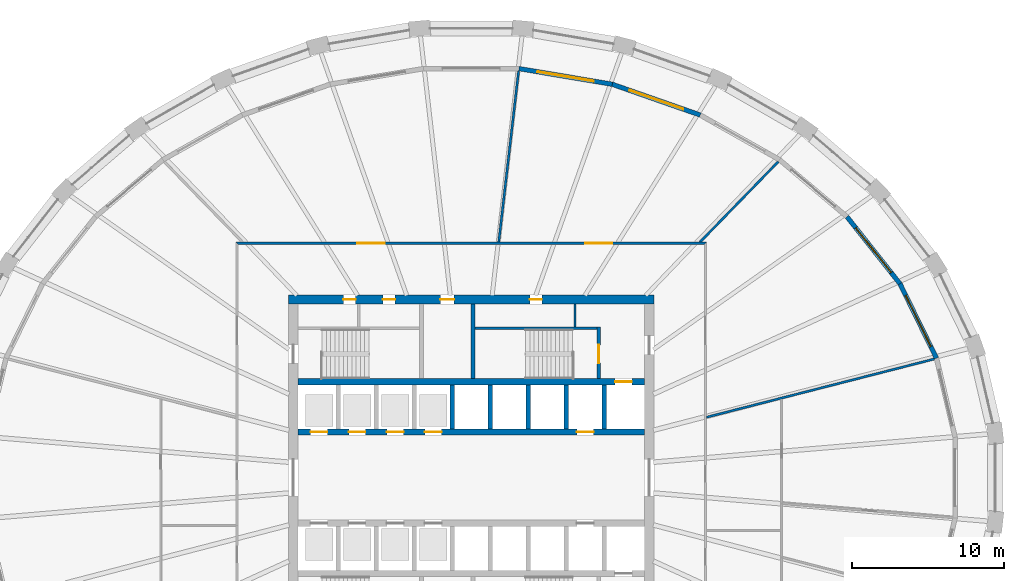
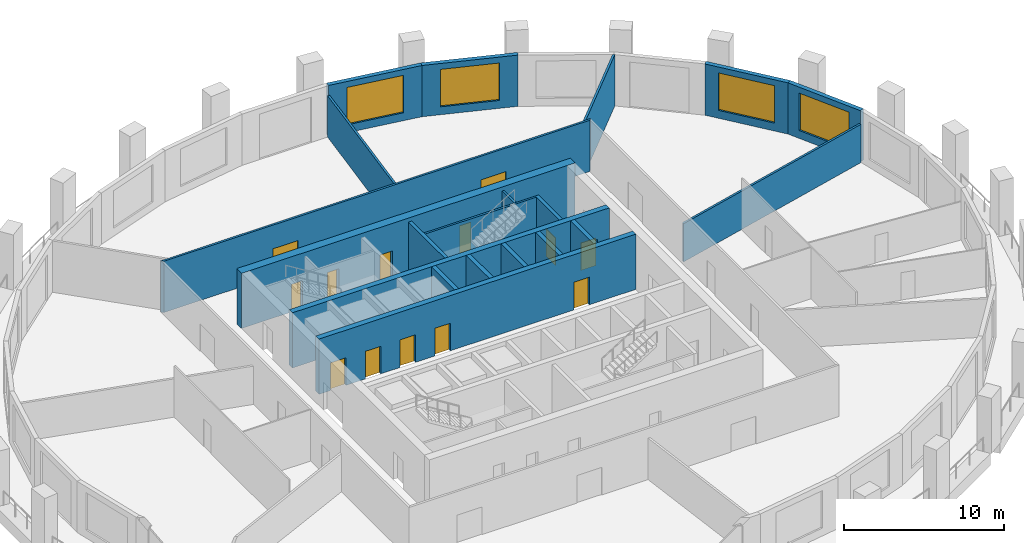
# One storey, part 6 of 10: 20 walls, 13 doors, 4 windows, 17 openings.
"""IFC4 building model written with IfcOpenShell, lengths in metres."""

from ifc_helpers import new_model, si_unit, direction, frame, frame_2d, origin, place, context, subcontext, project, spatial, polyline, rectangle, outline, extrude, material, layer, layer_set, type_object, element, fill, save


model = new_model("IFC4")

# Units and contexts
model_context = context("Model", 3, precision=1e-05, world=origin(), true_north=direction((0.0, 1.0)))
body_context = subcontext(model_context, "Body", "Model", "MODEL_VIEW")
ifc_project = project(units=[si_unit("LENGTHUNIT", "METRE"), si_unit("AREAUNIT", "SQUARE_METRE"), si_unit("VOLUMEUNIT", "CUBIC_METRE"), si_unit("PLANEANGLEUNIT", "RADIAN"), si_unit("MASSUNIT", "GRAM", prefix="KILO")], contexts=[model_context])

# Site, building, storey
site_placement = place(None, origin())
site = spatial("IfcSite", under=ifc_project, at=site_placement, CompositionType="ELEMENT")
building_placement = place(site_placement, origin())
building = spatial("IfcBuilding", under=site, at=building_placement, Name="Halqa Exchange Tower", CompositionType="ELEMENT")
storey_placement = place(building_placement, frame((0.0, 0.0, 129.699951171875)))
storey = spatial("IfcBuildingStorey", under=building, at=storey_placement, Name="L29", CompositionType="ELEMENT", Elevation=129.699951171875)

# Wall, openings, doors
ifc_material_1 = material(Name="Fire-rated gypsum board")
ifc_layer_1 = layer(ifc_material_1, 0.14990234375)
ifc_layer_set_1 = layer_set([ifc_layer_1], Name="Fire-rated gypsum board")
wall_type_1 = type_object("IfcWallType", Name="Fire partition EI 60 150", PredefinedType="PARTITIONING", material=ifc_layer_set_1)
wall_1_placement = place(storey_placement, frame((-15.47509765625, 15.39990234375, 0.0), z_axis=(0.0, 0.0, 1.0), x_axis=(1.0, 0.0, 0.0)))
wall_1 = element("IfcWall", 1, at=wall_1_placement, inside=storey, type_object=wall_type_1, Name="L29-PWL-009", PredefinedType="PARTITIONING", context=body_context, shape_type="SweptSolid", body=[
    extrude(outline(polyline([(0.150146484375, -0.074951171875), (2.065673828125, -0.074951171875), (3.9814453125, -0.074951171875), (5.89697265625, -0.074951171875), (7.8125, -0.074951171875), (9.728271484375, -0.074951171875), (11.643798828125, -0.074951171875), (13.5595703125, -0.074951171875), (15.47509765625, -0.074951171875), (17.390625, -0.074951171875), (19.306396484375, -0.074951171875), (21.221923828125, -0.074951171875), (23.1376953125, -0.074951171875), (25.05322265625, -0.074951171875), (26.96875, -0.074951171875), (28.884521484375, -0.074951171875), (30.800048828125, -0.074951171875), (30.949951171875, 0.074951171875), (29.015625, 0.074951171875), (27.081298828125, 0.074951171875), (25.14697265625, 0.074951171875), (23.21240234375, 0.074951171875), (21.278076171875, 0.074951171875), (19.34375, 0.074951171875), (17.409423828125, 0.074951171875), (15.47509765625, 0.074951171875), (13.540771484375, 0.074951171875), (11.6064453125, 0.074951171875), (9.672119140625, 0.074951171875), (7.73779296875, 0.074951171875), (5.80322265625, 0.074951171875), (3.868896484375, 0.074951171875), (1.9345703125, 0.074951171875), (0.000244140625, 0.074951171875), (0.150146484375, -0.074951171875)])), origin(), (0.0, 0.0, 1.0), 3.900146484375),
])
opening_1_placement = place(wall_1_placement, frame((22.955078125, 0.0, 0.0)))
opening_1 = element("IfcOpeningElement", 2, at=opening_1_placement, cuts=wall_1, Name="Opening 09-01", PredefinedType="OPENING", context=body_context, shape_type="SweptSolid", body=[
    extrude(rectangle(XDim=1.800048828125, YDim=2.10009765625, at=frame_2d((0.89990234375, 1.050048828125))), frame((0.0, 0.0869140625, 0.0), z_axis=(0.0, -1.0, 0.0), x_axis=(1.0, 0.0, 0.0)), (0.0, 0.0, 1.0), 0.173828125),
])
opening_2_placement = place(wall_1_placement, frame((7.9951171875, 0.0, 0.0)))
opening_2 = element("IfcOpeningElement", 3, at=opening_2_placement, cuts=wall_1, Name="Opening 09-02", PredefinedType="OPENING", context=body_context, shape_type="SweptSolid", body=[
    extrude(rectangle(XDim=1.800048828125, YDim=2.10009765625, at=frame_2d((0.89990234375, 1.050048828125))), frame((0.0, 0.0869140625, 0.0), z_axis=(0.0, -1.0, 0.0), x_axis=(1.0, 0.0, 0.0)), (0.0, 0.0, 1.0), 0.173828125),
])
ifc_material_2 = material(Name="Steel fire door leaf", Category="steel")
door_type_1 = type_object("IfcDoorType", Name="Fire door FD30S double 1800 x 2100", OperationType="DOUBLE_DOOR_SINGLE_SWING", PredefinedType="DOOR", material=ifc_material_2)
door_1_placement = place(opening_1_placement, origin())
door_1 = element("IfcDoor", 4, at=door_1_placement, inside=storey, type_object=door_type_1, Name="L29-IDR-001", OperationType="DOUBLE_DOOR_SINGLE_SWING", OverallHeight=2.10009765625, OverallWidth=1.800048828125, PredefinedType="DOOR", context=body_context, shape_type="SweptSolid", body=[
    extrude(rectangle(XDim=1.800048828125, YDim=2.10009765625, at=frame_2d((0.89990234375, 1.050048828125))), frame((0.0, 0.02490234375, 0.0), z_axis=(0.0, -1.0, 0.0), x_axis=(1.0, 0.0, 0.0)), (0.0, 0.0, 1.0), 0.050048828125),
])
fill(opening_1, door_1)
door_2_placement = place(opening_2_placement, origin())
door_2 = element("IfcDoor", 5, at=door_2_placement, inside=storey, type_object=door_type_1, Name="L29-IDR-002", OperationType="DOUBLE_DOOR_SINGLE_SWING", OverallHeight=2.10009765625, OverallWidth=1.800048828125, PredefinedType="DOOR", context=body_context, shape_type="SweptSolid", body=[
    extrude(rectangle(XDim=1.800048828125, YDim=2.10009765625, at=frame_2d((0.89990234375, 1.050048828125))), frame((0.0, 0.02490234375, 0.0), z_axis=(0.0, -1.0, 0.0), x_axis=(1.0, 0.0, 0.0)), (0.0, 0.0, 1.0), 0.050048828125),
])
fill(opening_2, door_2)

# Walls
wall_2_placement = place(storey_placement, frame((1.8076171875, 15.466552734375, 0.0), z_axis=(0.0, 0.0, 1.0), x_axis=(0.115308163836, 0.993329767677, 0.0)))
element("IfcWall", 6, at=wall_2_placement, inside=storey, type_object=wall_type_1, Name="L29-PWL-012", PredefinedType="PARTITIONING", context=body_context, shape_type="SweptSolid", body=[
    extrude(outline(polyline([(0.01708984375, -0.074951171875), (1.904052734375, -0.074951171875), (3.790771484375, -0.074951171875), (5.677490234375, -0.074951171875), (7.564453125, -0.074951171875), (9.451171875, -0.074951171875), (11.337890625, -0.074951171875), (11.338134765625, -0.072509765625), (11.338134765625, 0.029052734375), (11.332763671875, 0.074951171875), (9.444091796875, 0.074951171875), (7.55517578125, 0.074951171875), (5.66650390625, 0.074951171875), (3.777587890625, 0.074951171875), (1.888916015625, 0.074951171875), (0.0, 0.074951171875), (0.0, 0.0732421875), (0.01708984375, -0.074951171875)])), origin(), (0.0, 0.0, 1.0), 3.14697265625),
])
wall_3_placement = place(storey_placement, frame((15.456787109375, 3.964599609375, 0.0), z_axis=(0.0, 0.0, 1.0), x_axis=(0.968826155352, 0.247741560312, 0.0)))
element("IfcWall", 7, at=wall_3_placement, inside=storey, type_object=wall_type_1, Name="L29-PWL-016", PredefinedType="PARTITIONING", context=body_context, shape_type="SweptSolid", body=[
    extrude(outline(polyline([(0.0, -0.074951171875), (1.67724609375, -0.074951171875), (3.354248046875, -0.074951171875), (5.031494140625, -0.074951171875), (5.031982421875, -0.073486328125), (5.03759765625, -0.074951171875), (6.774658203125, -0.074951171875), (8.51171875, -0.074951171875), (10.248779296875, -0.074951171875), (11.98583984375, -0.074951171875), (13.722900390625, -0.074951171875), (15.4599609375, -0.074951171875), (15.4599609375, 0.010498046875), (15.446533203125, 0.074951171875), (13.5205078125, 0.074951171875), (11.594482421875, 0.074951171875), (9.668212890625, 0.074951171875), (7.7421875, 0.074951171875), (5.816162109375, 0.074951171875), (3.89013671875, 0.074951171875), (1.964111328125, 0.074951171875), (0.0380859375, 0.074951171875), (0.0, -0.073486328125), (0.0, -0.074951171875)])), origin(), (0.0, 0.0, 1.0), 2.91015625),
])
wall_4_placement = place(storey_placement, frame((20.182373046875, 20.7666015625, 0.0), z_axis=(0.0, 0.0, 1.0), x_axis=(-0.697398145205, -0.716683910148, 0.0)))
element("IfcWall", 8, at=wall_4_placement, inside=storey, type_object=wall_type_1, Name="L29-PWL-017", PredefinedType="PARTITIONING", context=body_context, shape_type="SweptSolid", body=[
    extrude(outline(polyline([(7.456298828125, -0.074951171875), (7.456298828125, -0.074951171875), (7.36328125, 0.020751953125), (7.36328125, 0.020751953125), (7.310546875, 0.074951171875), (5.48291015625, 0.074951171875), (3.6552734375, 0.074951171875), (1.82763671875, 0.074951171875), (0.0, 0.074951171875), (0.0, 0.072509765625), (0.00537109375, -0.002197265625), (0.0244140625, -0.074951171875), (1.88232421875, -0.074951171875), (3.740478515625, -0.074951171875), (5.598388671875, -0.074951171875), (7.456298828125, -0.074951171875)])), origin(), (0.0, 0.0, 1.0), 3.900146484375),
])
ifc_material_3 = material(Name="Gypsum board")
ifc_layer_2 = layer(ifc_material_3, 0.14990234375)
ifc_layer_set_2 = layer_set([ifc_layer_2], Name="Gypsum board")
wall_type_2 = type_object("IfcWallType", Name="Penthouse riser wall 150 gypsum", PredefinedType="PARTITIONING", material=ifc_layer_set_2)
wall_5_placement = place(storey_placement, frame((6.824951171875, 9.89990234375, 0.0), z_axis=(0.0, 0.0, 1.0), x_axis=(0.0, 1.0, 0.0)))
element("IfcWall", 9, at=wall_5_placement, inside=storey, type_object=wall_type_2, Name="Firefighting lobby west wall N", PredefinedType="PARTITIONING", context=body_context, shape_type="SweptSolid", body=[
    extrude(rectangle(XDim=1.5, YDim=0.14990234375, at=frame_2d((0.75, 0.0))), origin(), (0.0, 0.0, 1.0), 3.900146484375),
])
ifc_material_4 = material(Name="Concrete C60/75", Category="concrete")
ifc_layer_3 = layer(ifc_material_4, 0.300048828125)
ifc_layer_set_3 = layer_set([ifc_layer_3], Name="Concrete C60/75")
wall_type_3 = type_object("IfcWallType", Name="RC core wall 300", PredefinedType="SHEAR", material=ifc_layer_set_3)
for number, where, z_axis, x_axis, name in (
    (10, (-1.25, 3.199951171875, 0.0), (0.0, 0.0, 1.0), (0.0, 1.0, 0.0), "Shaft divider N4"),
    (11, (1.25, 3.199951171875, 0.0), (0.0, 0.0, 1.0), (0.0, 1.0, 0.0), "Shaft divider N5"),
    (12, (3.75, 3.199951171875, 0.0), (0.0, 0.0, 1.0), (0.0, 1.0, 0.0), "Shaft divider N6"),
    (13, (6.25, 3.199951171875, 0.0), (0.0, 0.0, 1.0), (0.0, 1.0, 0.0), "Shaft divider N7"),
    (14, (8.75, 3.199951171875, 0.0), (0.0, 0.0, 1.0), (0.0, 1.0, 0.0), "Shaft divider N8"),
):
    element("IfcWall", number, at=place(storey_placement, frame(where, z_axis=z_axis, x_axis=x_axis)), inside=storey, type_object=wall_type_3, Name=name, PredefinedType="SHEAR", context=body_context, shape_type="SweptSolid", body=[
        extrude(rectangle(XDim=2.900146484375, YDim=0.300048828125, at=frame_2d((1.4501953125, 0.0))), origin(), (0.0, 0.0, 1.0), 4.199951171875),
    ])

# Wall, openings, doors
ifc_material_5 = material(Name="Concrete C70/85", Category="concrete")
ifc_layer_4 = layer(ifc_material_5, 0.39990234375)
ifc_layer_set_4 = layer_set([ifc_layer_4], Name="Concrete C70/85")
wall_type_4 = type_object("IfcWallType", Name="RC core wall 400 C70/85", PredefinedType="SHEAR", material=ifc_layer_set_4)
wall_6_placement = place(storey_placement, frame((-11.39990234375, 3.0, 0.0), z_axis=(0.0, 0.0, 1.0), x_axis=(1.0, 0.0, 0.0)))
wall_6 = element("IfcWall", 15, at=wall_6_placement, inside=storey, type_object=wall_type_4, Name="Lift row front wall N", PredefinedType="SHEAR", context=body_context, shape_type="SweptSolid", body=[
    extrude(rectangle(XDim=22.7998046875, YDim=0.39990234375, at=frame_2d((11.39990234375, 0.0))), origin(), (0.0, 0.0, 1.0), 4.199951171875),
])
opening_3_placement = place(wall_6_placement, frame((0.85009765625, 0.0, 0.0)))
opening_3 = element("IfcOpeningElement", 16, at=opening_3_placement, cuts=wall_6, Name="Opening LD-LR1-T09", PredefinedType="OPENING", context=body_context, shape_type="SweptSolid", body=[
    extrude(rectangle(XDim=1.10009765625, YDim=2.10009765625, at=frame_2d((0.550048828125, 1.050048828125))), frame((0.0, 0.2119140625, 0.0), z_axis=(0.0, -1.0, 0.0), x_axis=(1.0, 0.0, 0.0)), (0.0, 0.0, 1.0), 0.423828125),
])
opening_4_placement = place(wall_6_placement, frame((3.35009765625, 0.0, 0.0)))
opening_4 = element("IfcOpeningElement", 17, at=opening_4_placement, cuts=wall_6, Name="Opening LD-LR2-T09", PredefinedType="OPENING", context=body_context, shape_type="SweptSolid", body=[
    extrude(rectangle(XDim=1.10009765625, YDim=2.10009765625, at=frame_2d((0.550048828125, 1.050048828125))), frame((0.0, 0.2119140625, 0.0), z_axis=(0.0, -1.0, 0.0), x_axis=(1.0, 0.0, 0.0)), (0.0, 0.0, 1.0), 0.423828125),
])
opening_5_placement = place(wall_6_placement, frame((5.85009765625, 0.0, 0.0)))
opening_5 = element("IfcOpeningElement", 18, at=opening_5_placement, cuts=wall_6, Name="Opening LD-LR3-T09", PredefinedType="OPENING", context=body_context, shape_type="SweptSolid", body=[
    extrude(rectangle(XDim=1.10009765625, YDim=2.10009765625, at=frame_2d((0.550048828125, 1.050048828125))), frame((0.0, 0.2119140625, 0.0), z_axis=(0.0, -1.0, 0.0), x_axis=(1.0, 0.0, 0.0)), (0.0, 0.0, 1.0), 0.423828125),
])
opening_6_placement = place(wall_6_placement, frame((8.35009765625, 0.0, 0.0)))
opening_6 = element("IfcOpeningElement", 19, at=opening_6_placement, cuts=wall_6, Name="Opening LD-LR4-T09", PredefinedType="OPENING", context=body_context, shape_type="SweptSolid", body=[
    extrude(rectangle(XDim=1.10009765625, YDim=2.10009765625, at=frame_2d((0.550048828125, 1.050048828125))), frame((0.0, 0.2119140625, 0.0), z_axis=(0.0, -1.0, 0.0), x_axis=(1.0, 0.0, 0.0)), (0.0, 0.0, 1.0), 0.423828125),
])
opening_7_placement = place(wall_6_placement, frame((18.35009765625, 0.0, 0.0)))
opening_7 = element("IfcOpeningElement", 20, at=opening_7_placement, cuts=wall_6, Name="Opening LD-SV1-T09", PredefinedType="OPENING", context=body_context, shape_type="SweptSolid", body=[
    extrude(rectangle(XDim=1.10009765625, YDim=2.10009765625, at=frame_2d((0.550048828125, 1.050048828125))), frame((0.0, 0.2119140625, 0.0), z_axis=(0.0, -1.0, 0.0), x_axis=(1.0, 0.0, 0.0)), (0.0, 0.0, 1.0), 0.423828125),
])
ifc_material_6 = material(Name="Stainless steel", Category="steel")
door_type_2 = type_object("IfcDoorType", Name="Lift landing door 1100 x 2100", OperationType="SLIDING_TO_LEFT", PredefinedType="DOOR", material=ifc_material_6)
door_3_placement = place(opening_3_placement, origin())
door_3 = element("IfcDoor", 21, at=door_3_placement, inside=storey, type_object=door_type_2, Name="Lift landing door LR1", OperationType="SLIDING_TO_LEFT", OverallHeight=2.10009765625, OverallWidth=1.10009765625, PredefinedType="DOOR", context=body_context, shape_type="SweptSolid", body=[
    extrude(rectangle(XDim=1.10009765625, YDim=2.10009765625, at=frame_2d((0.550048828125, 1.050048828125))), frame((0.0, 0.02490234375, 0.0), z_axis=(0.0, -1.0, 0.0), x_axis=(1.0, 0.0, 0.0)), (0.0, 0.0, 1.0), 0.050048828125),
])
fill(opening_3, door_3)
door_4_placement = place(opening_4_placement, origin())
door_4 = element("IfcDoor", 22, at=door_4_placement, inside=storey, type_object=door_type_2, Name="Lift landing door LR2", OperationType="SLIDING_TO_LEFT", OverallHeight=2.10009765625, OverallWidth=1.10009765625, PredefinedType="DOOR", context=body_context, shape_type="SweptSolid", body=[
    extrude(rectangle(XDim=1.10009765625, YDim=2.10009765625, at=frame_2d((0.550048828125, 1.050048828125))), frame((0.0, 0.02490234375, 0.0), z_axis=(0.0, -1.0, 0.0), x_axis=(1.0, 0.0, 0.0)), (0.0, 0.0, 1.0), 0.050048828125),
])
fill(opening_4, door_4)
door_5_placement = place(opening_5_placement, origin())
door_5 = element("IfcDoor", 23, at=door_5_placement, inside=storey, type_object=door_type_2, Name="Lift landing door LR3", OperationType="SLIDING_TO_LEFT", OverallHeight=2.10009765625, OverallWidth=1.10009765625, PredefinedType="DOOR", context=body_context, shape_type="SweptSolid", body=[
    extrude(rectangle(XDim=1.10009765625, YDim=2.10009765625, at=frame_2d((0.550048828125, 1.050048828125))), frame((0.0, 0.02490234375, 0.0), z_axis=(0.0, -1.0, 0.0), x_axis=(1.0, 0.0, 0.0)), (0.0, 0.0, 1.0), 0.050048828125),
])
fill(opening_5, door_5)
door_6_placement = place(opening_6_placement, origin())
door_6 = element("IfcDoor", 24, at=door_6_placement, inside=storey, type_object=door_type_2, Name="Lift landing door LR4", OperationType="SLIDING_TO_LEFT", OverallHeight=2.10009765625, OverallWidth=1.10009765625, PredefinedType="DOOR", context=body_context, shape_type="SweptSolid", body=[
    extrude(rectangle(XDim=1.10009765625, YDim=2.10009765625, at=frame_2d((0.550048828125, 1.050048828125))), frame((0.0, 0.02490234375, 0.0), z_axis=(0.0, -1.0, 0.0), x_axis=(1.0, 0.0, 0.0)), (0.0, 0.0, 1.0), 0.050048828125),
])
fill(opening_6, door_6)
door_7_placement = place(opening_7_placement, origin())
door_7 = element("IfcDoor", 25, at=door_7_placement, inside=storey, type_object=door_type_2, Name="Lift landing door SV1", OperationType="SLIDING_TO_LEFT", OverallHeight=2.10009765625, OverallWidth=1.10009765625, PredefinedType="DOOR", context=body_context, shape_type="SweptSolid", body=[
    extrude(rectangle(XDim=1.10009765625, YDim=2.10009765625, at=frame_2d((0.550048828125, 1.050048828125))), frame((0.0, 0.02490234375, 0.0), z_axis=(0.0, -1.0, 0.0), x_axis=(1.0, 0.0, 0.0)), (0.0, 0.0, 1.0), 0.050048828125),
])
fill(opening_7, door_7)

# Wall, opening, door
wall_7_placement = place(storey_placement, frame((-11.39990234375, 6.300048828125, 0.0), z_axis=(0.0, 0.0, 1.0), x_axis=(1.0, 0.0, 0.0)))
wall_7 = element("IfcWall", 26, at=wall_7_placement, inside=storey, type_object=wall_type_4, Name="Lift row back wall N", PredefinedType="SHEAR", context=body_context, shape_type="SweptSolid", body=[
    extrude(rectangle(XDim=22.7998046875, YDim=0.39990234375, at=frame_2d((11.39990234375, 0.0))), origin(), (0.0, 0.0, 1.0), 4.199951171875),
])
opening_8_placement = place(wall_7_placement, frame((20.85009765625, 0.0, 0.0)))
opening_8 = element("IfcOpeningElement", 27, at=opening_8_placement, cuts=wall_7, Name="Opening LD-FF1-T09", PredefinedType="OPENING", context=body_context, shape_type="SweptSolid", body=[
    extrude(rectangle(XDim=1.10009765625, YDim=2.10009765625, at=frame_2d((0.550048828125, 1.050048828125))), frame((0.0, 0.2119140625, 0.0), z_axis=(0.0, -1.0, 0.0), x_axis=(1.0, 0.0, 0.0)), (0.0, 0.0, 1.0), 0.423828125),
])
door_8_placement = place(opening_8_placement, origin())
door_8 = element("IfcDoor", 28, at=door_8_placement, inside=storey, type_object=door_type_2, Name="Lift landing door FF1", OperationType="SLIDING_TO_LEFT", OverallHeight=2.10009765625, OverallWidth=1.10009765625, PredefinedType="DOOR", context=body_context, shape_type="SweptSolid", body=[
    extrude(rectangle(XDim=1.10009765625, YDim=2.10009765625, at=frame_2d((0.550048828125, 1.050048828125))), frame((0.0, 0.02490234375, 0.0), z_axis=(0.0, -1.0, 0.0), x_axis=(1.0, 0.0, 0.0)), (0.0, 0.0, 1.0), 0.050048828125),
])
fill(opening_8, door_8)

# Wall, openings, doors
ifc_layer_5 = layer(ifc_material_5, 0.60009765625)
ifc_layer_set_5 = layer_set([ifc_layer_5], Name="Concrete C70/85")
wall_type_5 = type_object("IfcWallType", Name="RC core wall 600 C70/85", PredefinedType="SHEAR", material=ifc_layer_set_5)
wall_8_placement = place(storey_placement, frame((-12.0, 11.699951171875, 0.0), z_axis=(0.0, 0.0, 1.0), x_axis=(1.0, 0.0, 0.0)))
wall_8 = element("IfcWall", 29, at=wall_8_placement, inside=storey, type_object=wall_type_5, Name="Core wall north", PredefinedType="SHEAR", context=body_context, shape_type="SweptSolid", body=[
    extrude(rectangle(XDim=24.0, YDim=0.60009765625, at=frame_2d((12.0, 0.0))), origin(), (0.0, 0.0, 1.0), 4.199951171875),
])
opening_9_placement = place(wall_8_placement, frame((9.97509765625, 0.0, 0.0)))
opening_9 = element("IfcOpeningElement", 30, at=opening_9_placement, cuts=wall_8, Name="Opening T09-C21", PredefinedType="OPENING", context=body_context, shape_type="SweptSolid", body=[
    extrude(rectangle(XDim=0.89990234375, YDim=2.10009765625, at=frame_2d((0.449951171875, 1.050048828125))), frame((0.0, 0.31201171875, 0.0), z_axis=(0.0, -1.0, 0.0), x_axis=(1.0, 0.0, 0.0)), (0.0, 0.0, 1.0), 0.6240234375),
])
opening_10_placement = place(wall_8_placement, frame((3.60009765625, 0.0, 0.0)))
opening_10 = element("IfcOpeningElement", 31, at=opening_10_placement, cuts=wall_8, Name="Opening T09-C22", PredefinedType="OPENING", context=body_context, shape_type="SweptSolid", body=[
    extrude(rectangle(XDim=0.800048828125, YDim=2.10009765625, at=frame_2d((0.39990234375, 1.050048828125))), frame((0.0, 0.31201171875, 0.0), z_axis=(0.0, -1.0, 0.0), x_axis=(1.0, 0.0, 0.0)), (0.0, 0.0, 1.0), 0.6240234375),
])
opening_11_placement = place(wall_8_placement, frame((6.199951171875, 0.0, 0.0)))
opening_11 = element("IfcOpeningElement", 32, at=opening_11_placement, cuts=wall_8, Name="Opening T09-C23", PredefinedType="OPENING", context=body_context, shape_type="SweptSolid", body=[
    extrude(rectangle(XDim=0.800048828125, YDim=2.10009765625, at=frame_2d((0.39990234375, 1.050048828125))), frame((0.0, 0.31201171875, 0.0), z_axis=(0.0, -1.0, 0.0), x_axis=(1.0, 0.0, 0.0)), (0.0, 0.0, 1.0), 0.6240234375),
])
opening_12_placement = place(wall_8_placement, frame((15.85009765625, 0.0, 0.0)))
opening_12 = element("IfcOpeningElement", 33, at=opening_12_placement, cuts=wall_8, Name="Opening T09-C24", PredefinedType="OPENING", context=body_context, shape_type="SweptSolid", body=[
    extrude(rectangle(XDim=0.800048828125, YDim=2.10009765625, at=frame_2d((0.39990234375, 1.050048828125))), frame((0.0, 0.31201171875, 0.0), z_axis=(0.0, -1.0, 0.0), x_axis=(1.0, 0.0, 0.0)), (0.0, 0.0, 1.0), 0.6240234375),
])
ifc_material_7 = material(Name="Timber fire door leaf", Category="wood")
door_type_3 = type_object("IfcDoorType", Name="Core room door FD30 900 x 2100", OperationType="SINGLE_SWING_LEFT", PredefinedType="DOOR", material=ifc_material_7)
door_9_placement = place(opening_9_placement, frame((0.89990234375, 0.0, 0.0), z_axis=(0.0, 0.0, 1.0), x_axis=(-1.0, 0.0, 0.0)))
door_9 = element("IfcDoor", 34, at=door_9_placement, inside=storey, type_object=door_type_3, Name="Core room door", OperationType="SINGLE_SWING_RIGHT", OverallHeight=2.10009765625, OverallWidth=0.89990234375, PredefinedType="DOOR", context=body_context, shape_type="SweptSolid", body=[
    extrude(rectangle(XDim=0.89990234375, YDim=2.10009765625, at=frame_2d((0.449951171875, 1.050048828125))), frame((0.0, 0.02490234375, 0.0), z_axis=(0.0, -1.0, 0.0), x_axis=(1.0, 0.0, 0.0)), (0.0, 0.0, 1.0), 0.050048828125),
])
fill(opening_9, door_9)
door_type_4 = type_object("IfcDoorType", Name="Riser door FD60 800 x 2100", OperationType="SINGLE_SWING_LEFT", PredefinedType="DOOR", material=ifc_material_2)
door_10_placement = place(opening_10_placement, frame((0.800048828125, 0.0, 0.0), z_axis=(0.0, 0.0, 1.0), x_axis=(-1.0, 0.0, 0.0)))
door_10 = element("IfcDoor", 35, at=door_10_placement, inside=storey, type_object=door_type_4, Name="Core room door", OperationType="SINGLE_SWING_RIGHT", OverallHeight=2.10009765625, OverallWidth=0.800048828125, PredefinedType="DOOR", context=body_context, shape_type="SweptSolid", body=[
    extrude(rectangle(XDim=0.800048828125, YDim=2.10009765625, at=frame_2d((0.39990234375, 1.050048828125))), frame((0.0, 0.02490234375, 0.0), z_axis=(0.0, -1.0, 0.0), x_axis=(1.0, 0.0, 0.0)), (0.0, 0.0, 1.0), 0.050048828125),
])
fill(opening_10, door_10)
door_11_placement = place(opening_11_placement, frame((0.800048828125, 0.0, 0.0), z_axis=(0.0, 0.0, 1.0), x_axis=(-1.0, 0.0, 0.0)))
door_11 = element("IfcDoor", 36, at=door_11_placement, inside=storey, type_object=door_type_4, Name="Core room door", OperationType="SINGLE_SWING_RIGHT", OverallHeight=2.10009765625, OverallWidth=0.800048828125, PredefinedType="DOOR", context=body_context, shape_type="SweptSolid", body=[
    extrude(rectangle(XDim=0.800048828125, YDim=2.10009765625, at=frame_2d((0.39990234375, 1.050048828125))), frame((0.0, 0.02490234375, 0.0), z_axis=(0.0, -1.0, 0.0), x_axis=(1.0, 0.0, 0.0)), (0.0, 0.0, 1.0), 0.050048828125),
])
fill(opening_11, door_11)
door_12_placement = place(opening_12_placement, frame((0.800048828125, 0.0, 0.0), z_axis=(0.0, 0.0, 1.0), x_axis=(-1.0, 0.0, 0.0)))
door_12 = element("IfcDoor", 37, at=door_12_placement, inside=storey, type_object=door_type_4, Name="Core room door", OperationType="SINGLE_SWING_RIGHT", OverallHeight=2.10009765625, OverallWidth=0.800048828125, PredefinedType="DOOR", context=body_context, shape_type="SweptSolid", body=[
    extrude(rectangle(XDim=0.800048828125, YDim=2.10009765625, at=frame_2d((0.39990234375, 1.050048828125))), frame((0.0, 0.02490234375, 0.0), z_axis=(0.0, -1.0, 0.0), x_axis=(1.0, 0.0, 0.0)), (0.0, 0.0, 1.0), 0.050048828125),
])
fill(opening_12, door_12)

# Walls
ifc_material_8 = material(Name="Concrete C30/37", Category="concrete")
ifc_layer_6 = layer(ifc_material_8, 0.14990234375)
ifc_layer_set_6 = layer_set([ifc_layer_6], Name="Concrete C30/37")
wall_type_6 = type_object("IfcWallType", Name="RC stair wall 150 C30/37", PredefinedType="SHEAR", material=ifc_layer_set_6)
wall_9_placement = place(storey_placement, frame((0.25, 9.824951171875, 0.0), z_axis=(0.0, 0.0, 1.0), x_axis=(1.0, 0.0, 0.0)))
element("IfcWall", 38, at=wall_9_placement, inside=storey, type_object=wall_type_6, Name="Stair ST2 north wall N", PredefinedType="SHEAR", context=body_context, shape_type="SweptSolid", body=[
    extrude(rectangle(XDim=8.0, YDim=0.14990234375, at=frame_2d((4.0, 0.0))), origin(), (0.0, 0.0, 1.0), 3.900146484375),
])
ifc_layer_7 = layer(ifc_material_8, 0.25)
ifc_layer_set_7 = layer_set([ifc_layer_7], Name="Concrete C30/37")
wall_type_7 = type_object("IfcWallType", Name="RC stair wall 250 C30/37", PredefinedType="SHEAR", material=ifc_layer_set_7)
wall_10_placement = place(storey_placement, frame((0.125, 6.5, 0.0), z_axis=(0.0, 0.0, 1.0), x_axis=(0.0, 1.0, 0.0)))
element("IfcWall", 39, at=wall_10_placement, inside=storey, type_object=wall_type_7, Name="Stair ST2 west wall N", PredefinedType="SHEAR", context=body_context, shape_type="SweptSolid", body=[
    extrude(rectangle(XDim=4.89990234375, YDim=0.25, at=frame_2d((2.449951171875, 0.0))), origin(), (0.0, 0.0, 1.0), 3.900146484375),
])

# Wall, opening, door
wall_11_placement = place(storey_placement, frame((8.375, 6.5, 0.0), z_axis=(0.0, 0.0, 1.0), x_axis=(0.0, 1.0, 0.0)))
wall_11 = element("IfcWall", 40, at=wall_11_placement, inside=storey, type_object=wall_type_7, Name="Stair ST2 east wall N", PredefinedType="SHEAR", context=body_context, shape_type="SweptSolid", body=[
    extrude(rectangle(XDim=3.39990234375, YDim=0.25, at=frame_2d((1.699951171875, 0.0))), origin(), (0.0, 0.0, 1.0), 3.900146484375),
])
opening_13_placement = place(wall_11_placement, frame((1.02490234375, 0.0, 0.0)))
opening_13 = element("IfcOpeningElement", 41, at=opening_13_placement, cuts=wall_11, Name="Opening T09-C16", PredefinedType="OPENING", context=body_context, shape_type="SweptSolid", body=[
    extrude(rectangle(XDim=1.199951171875, YDim=2.10009765625, at=frame_2d((0.60009765625, 1.050048828125))), frame((0.0, 0.136962890625, 0.0), z_axis=(0.0, -1.0, 0.0), x_axis=(1.0, 0.0, 0.0)), (0.0, 0.0, 1.0), 0.27392578125),
])
door_type_5 = type_object("IfcDoorType", Name="Stair door FD90 1200 x 2100", OperationType="SINGLE_SWING_LEFT", PredefinedType="DOOR", material=ifc_material_2)
door_13_placement = place(opening_13_placement, origin())
door_13 = element("IfcDoor", 42, at=door_13_placement, inside=storey, type_object=door_type_5, Name="Stair door ST2", OperationType="SINGLE_SWING_LEFT", OverallHeight=2.10009765625, OverallWidth=1.199951171875, PredefinedType="DOOR", context=body_context, shape_type="SweptSolid", body=[
    extrude(rectangle(XDim=1.199951171875, YDim=2.10009765625, at=frame_2d((0.60009765625, 1.050048828125))), frame((0.0, 0.02490234375, 0.0), z_axis=(0.0, -1.0, 0.0), x_axis=(1.0, 0.0, 0.0)), (0.0, 0.0, 1.0), 0.050048828125),
])
fill(opening_13, door_13)

# Wall, opening, window
ifc_material_9 = material(Name="Limestone cladding", Category="masonry")
ifc_layer_8 = layer(ifc_material_9, 0.0400390625)
ifc_material_10 = material(Name="Ventilated cavity")
ifc_layer_9 = layer(ifc_material_10, 0.030029296875, ventilated=True)
ifc_material_11 = material(Name="Mineral wool insulation")
ifc_layer_10 = layer(ifc_material_11, 0.10009765625)
ifc_layer_11 = layer(ifc_material_8, 0.10009765625)
ifc_material_12 = material(Name="Internal plaster")
ifc_layer_12 = layer(ifc_material_12, 0.030029296875)
ifc_layer_set_8 = layer_set([ifc_layer_8, ifc_layer_9, ifc_layer_10, ifc_layer_11, ifc_layer_12], Name="Stone-faced insulated wall 300")
wall_type_8 = type_object("IfcWallType", Name="Stone-faced insulated wall 300", PredefinedType="STANDARD", material=ifc_layer_set_8)
wall_12_placement = place(storey_placement, frame((30.577880859375, 7.848388671875, 0.0), z_axis=(0.0, 0.0, 1.0), x_axis=(-0.440321465864, 0.897840189956, 0.0)))
wall_12 = element("IfcWall", 43, at=wall_12_placement, inside=storey, type_object=wall_type_8, Name="Glass-line wall 2", PredefinedType="STANDARD", context=body_context, shape_type="SweptSolid", body=[
    extrude(outline(polyline([(-0.016845703125, -0.14990234375), (5.467529296875, -0.14990234375), (5.435302734375, 0.14990234375), (0.016845703125, 0.14990234375), (-0.016845703125, -0.14990234375)])), origin(), (0.0, 0.0, 1.0), 3.900146484375),
])
opening_14_placement = place(wall_12_placement, frame((0.850830078125, 0.0, 0.60009765625)))
opening_14 = element("IfcOpeningElement", 44, at=opening_14_placement, cuts=wall_12, Name="Opening W-F2-02", PredefinedType="OPENING", context=body_context, shape_type="SweptSolid", body=[
    extrude(rectangle(XDim=3.75, YDim=2.85009765625, at=frame_2d((1.875, 1.425048828125))), frame((0.0, 0.162109375, 0.0), z_axis=(0.0, -1.0, 0.0), x_axis=(1.0, 0.0, 0.0)), (0.0, 0.0, 1.0), 0.323974609375),
])
ifc_material_13 = material(Name="Clear low-emissivity glass in aluminium frame", Category="aluminium")
window_type = type_object("IfcWindowType", Name="Fixed clear glazed window 3750 x 2850", PartitioningType="TRIPLE_PANEL_VERTICAL", PredefinedType="WINDOW", material=ifc_material_13)
window_1_placement = place(opening_14_placement, origin())
window_1 = element("IfcWindow", 45, at=window_1_placement, inside=storey, type_object=window_type, Name="Window 2", OverallHeight=2.85009765625, OverallWidth=3.75, PartitioningType="TRIPLE_PANEL_VERTICAL", PredefinedType="WINDOW", context=body_context, shape_type="SweptSolid", body=[
    extrude(rectangle(XDim=3.75, YDim=2.85009765625, at=frame_2d((1.875, 1.425048828125))), frame((0.0, 0.030029296875, 0.0), z_axis=(0.0, -1.0, 0.0), x_axis=(1.0, 0.0, 0.0)), (0.0, 0.0, 1.0), 0.06005859375),
])
fill(opening_14, window_1)

wall_13_placement = place(storey_placement, frame((28.177490234375, 12.742919921875, 0.0), z_axis=(0.0, 0.0, 1.0), x_axis=(-0.620464552431, 0.784234492468, 0.0)))
wall_13 = element("IfcWall", 46, at=wall_13_placement, inside=storey, type_object=wall_type_8, Name="Glass-line wall 3", PredefinedType="STANDARD", context=body_context, shape_type="SweptSolid", body=[
    extrude(outline(polyline([(-0.01611328125, -0.14990234375), (5.62939453125, -0.14990234375), (5.59912109375, 0.14990234375), (0.01611328125, 0.14990234375), (-0.01611328125, -0.14990234375)])), origin(), (0.0, 0.0, 1.0), 3.900146484375),
])
opening_15_placement = place(wall_13_placement, frame((0.931884765625, 0.0, 0.60009765625)))
opening_15 = element("IfcOpeningElement", 47, at=opening_15_placement, cuts=wall_13, Name="Opening W-F2-03", PredefinedType="OPENING", context=body_context, shape_type="SweptSolid", body=[
    extrude(rectangle(XDim=3.75, YDim=2.85009765625, at=frame_2d((1.875, 1.425048828125))), frame((0.0, 0.162109375, 0.0), z_axis=(0.0, -1.0, 0.0), x_axis=(1.0, 0.0, 0.0)), (0.0, 0.0, 1.0), 0.323974609375),
])
window_2_placement = place(opening_15_placement, origin())
window_2 = element("IfcWindow", 48, at=window_2_placement, inside=storey, type_object=window_type, Name="Window 2", OverallHeight=2.85009765625, OverallWidth=3.75, PartitioningType="TRIPLE_PANEL_VERTICAL", PredefinedType="WINDOW", context=body_context, shape_type="SweptSolid", body=[
    extrude(rectangle(XDim=3.75, YDim=2.85009765625, at=frame_2d((1.875, 1.425048828125))), frame((0.0, 0.030029296875, 0.0), z_axis=(0.0, -1.0, 0.0), x_axis=(1.0, 0.0, 0.0)), (0.0, 0.0, 1.0), 0.06005859375),
])
fill(opening_15, window_2)

wall_14_placement = place(storey_placement, frame((15.054931640625, 23.8271484375, 0.0), z_axis=(0.0, 0.0, 1.0), x_axis=(-0.943911133508, 0.330199594245, 0.0)))
wall_14 = element("IfcWall", 49, at=wall_14_placement, inside=storey, type_object=wall_type_8, Name="Glass-line wall 6", PredefinedType="STANDARD", context=body_context, shape_type="SweptSolid", body=[
    extrude(outline(polyline([(-0.013427734375, -0.14990234375), (6.141357421875, -0.14990234375), (6.115966796875, 0.14990234375), (0.013427734375, 0.14990234375), (-0.013427734375, -0.14990234375)])), origin(), (0.0, 0.0, 1.0), 3.900146484375),
])
opening_16_placement = place(wall_14_placement, frame((1.189208984375, 0.0, 0.60009765625)))
opening_16 = element("IfcOpeningElement", 50, at=opening_16_placement, cuts=wall_14, Name="Opening W-F2-06", PredefinedType="OPENING", context=body_context, shape_type="SweptSolid", body=[
    extrude(rectangle(XDim=3.75, YDim=2.85009765625, at=frame_2d((1.875, 1.425048828125))), frame((0.0, 0.162109375, 0.0), z_axis=(0.0, -1.0, 0.0), x_axis=(1.0, 0.0, 0.0)), (0.0, 0.0, 1.0), 0.323974609375),
])
window_3_placement = place(opening_16_placement, origin())
window_3 = element("IfcWindow", 51, at=window_3_placement, inside=storey, type_object=window_type, Name="Window 2", OverallHeight=2.85009765625, OverallWidth=3.75, PartitioningType="TRIPLE_PANEL_VERTICAL", PredefinedType="WINDOW", context=body_context, shape_type="SweptSolid", body=[
    extrude(rectangle(XDim=3.75, YDim=2.85009765625, at=frame_2d((1.875, 1.425048828125))), frame((0.0, 0.030029296875, 0.0), z_axis=(0.0, -1.0, 0.0), x_axis=(1.0, 0.0, 0.0)), (0.0, 0.0, 1.0), 0.06005859375),
])
fill(opening_16, window_3)

wall_15_placement = place(storey_placement, frame((9.27001953125, 25.850830078125, 0.0), z_axis=(0.0, 0.0, 1.0), x_axis=(-0.9861811474, 0.165670590368, 0.0)))
wall_15 = element("IfcWall", 52, at=wall_15_placement, inside=storey, type_object=wall_type_8, Name="Glass-line wall 7", PredefinedType="STANDARD", context=body_context, shape_type="SweptSolid", body=[
    extrude(outline(polyline([(-0.0126953125, -0.14990234375), (6.238525390625, -0.14990234375), (6.213623046875, 0.14990234375), (0.0126953125, 0.14990234375), (-0.0126953125, -0.14990234375)])), origin(), (0.0, 0.0, 1.0), 3.900146484375),
])
opening_17_placement = place(wall_15_placement, frame((1.238037109375, 0.0, 0.60009765625)))
opening_17 = element("IfcOpeningElement", 53, at=opening_17_placement, cuts=wall_15, Name="Opening W-F2-07", PredefinedType="OPENING", context=body_context, shape_type="SweptSolid", body=[
    extrude(rectangle(XDim=3.75, YDim=2.85009765625, at=frame_2d((1.875, 1.425048828125))), frame((0.0, 0.162109375, 0.0), z_axis=(0.0, -1.0, 0.0), x_axis=(1.0, 0.0, 0.0)), (0.0, 0.0, 1.0), 0.323974609375),
])
window_4_placement = place(opening_17_placement, origin())
window_4 = element("IfcWindow", 54, at=window_4_placement, inside=storey, type_object=window_type, Name="Window 2", OverallHeight=2.85009765625, OverallWidth=3.75, PartitioningType="TRIPLE_PANEL_VERTICAL", PredefinedType="WINDOW", context=body_context, shape_type="SweptSolid", body=[
    extrude(rectangle(XDim=3.75, YDim=2.85009765625, at=frame_2d((1.875, 1.425048828125))), frame((0.0, 0.030029296875, 0.0), z_axis=(0.0, -1.0, 0.0), x_axis=(1.0, 0.0, 0.0)), (0.0, 0.0, 1.0), 0.06005859375),
])
fill(opening_17, window_4)

save(model, "model.ifc")
